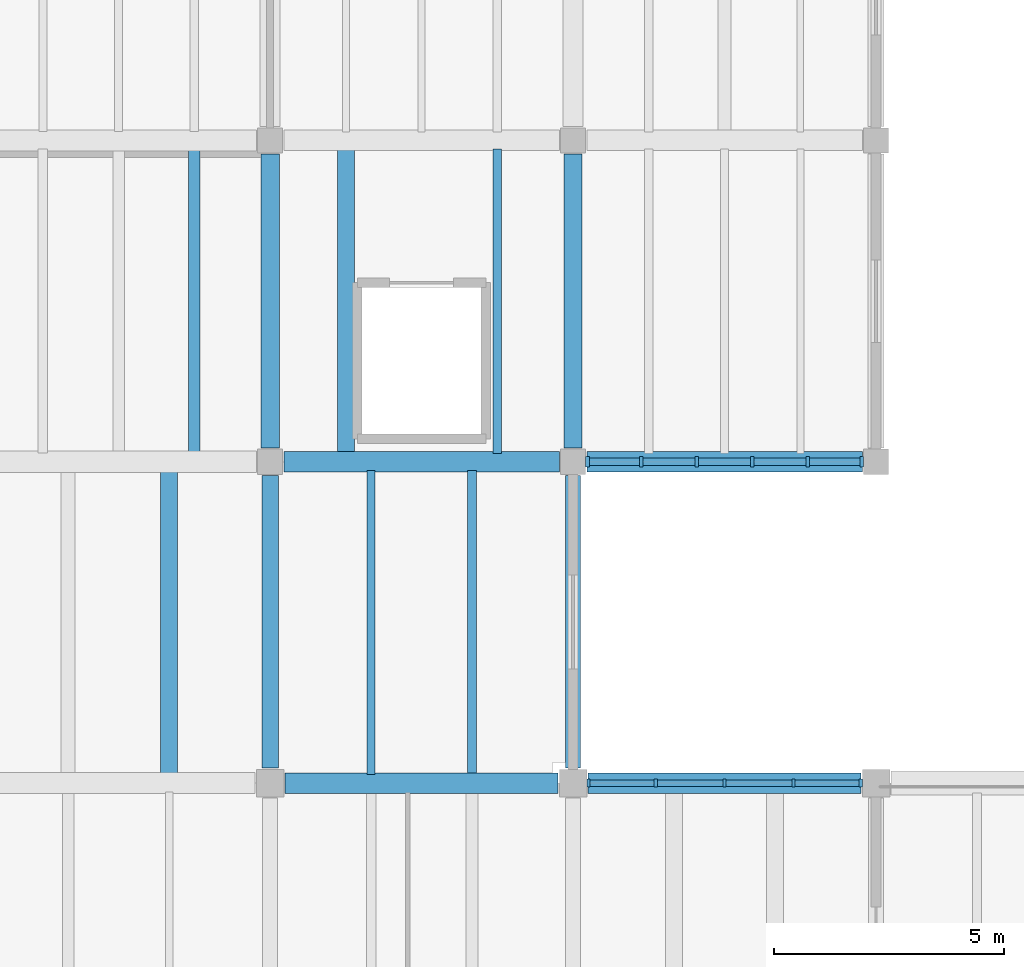
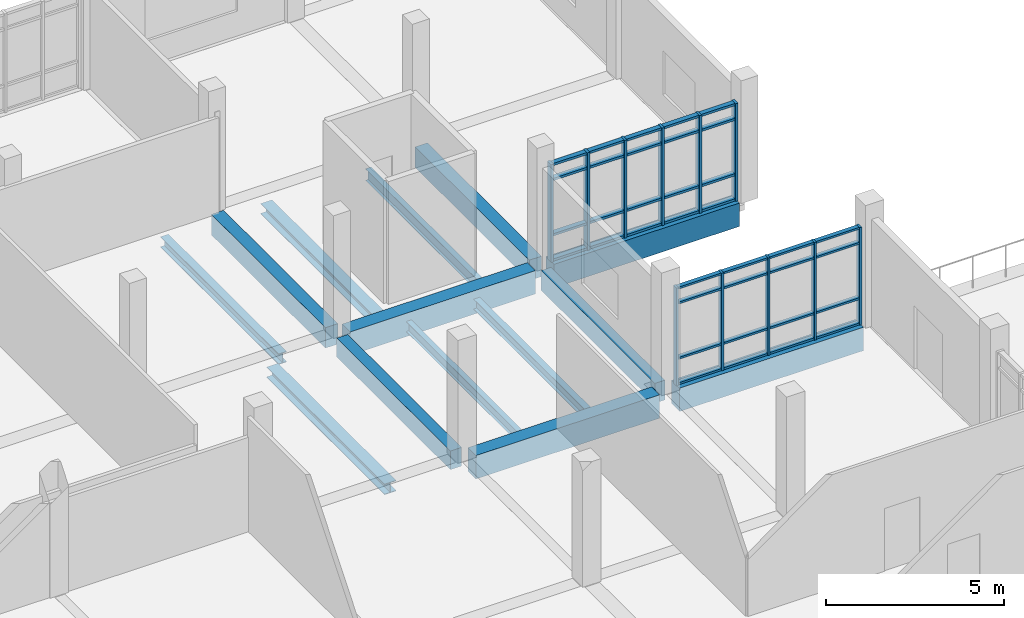
# One storey, part 22 of 67: 47 members, 14 beams, 2 elements without a shape of their own.
"""IFC4 building model written with IfcOpenShell, lengths in metres."""

from ifc_helpers import new_model, si_unit, direction, frame, origin, origin_2d, place, context, subcontext, project, spatial, rectangle, i_section, extrude, material, material_profile, profile_set, type_object, element, aggregate, save


model = new_model("IFC4")

# Units and contexts
model_context = context("Model", 3, precision=1e-05, world=origin(), true_north=direction((0.0, 1.0)))
body_context = subcontext(model_context, "Body", "Model", "MODEL_VIEW")
ifc_project = project(units=[si_unit("LENGTHUNIT", "METRE"), si_unit("AREAUNIT", "SQUARE_METRE"), si_unit("VOLUMEUNIT", "CUBIC_METRE"), si_unit("PLANEANGLEUNIT", "RADIAN"), si_unit("MASSUNIT", "GRAM", prefix="KILO")], contexts=[model_context])

# Site, building, storey
site_placement = place(None, origin())
site = spatial("IfcSite", under=ifc_project, at=site_placement, CompositionType="ELEMENT")
building_placement = place(site_placement, origin())
building = spatial("IfcBuilding", under=site, at=building_placement, Name="Ciguamira Faculty of Natural Sciences", CompositionType="ELEMENT")
storey_placement = place(building_placement, frame((0.0, 0.0, 8.39990234375)))
storey = spatial("IfcBuildingStorey", under=building, at=storey_placement, Name="L02", CompositionType="ELEMENT", Elevation=8.39990234375)

# Curtain wall, members
ifc_material_1 = material(Name="Anodized aluminium curtain wall", Category="aluminium")
curtain_wall_type_1 = type_object("IfcCurtainWallType", Name="CurtainWall_CW-02", PredefinedType="USERDEFINED", material=ifc_material_1)
curtain_wall_1_placement = place(storey_placement, origin())
curtain_wall_1 = element("IfcCurtainWall", 1, at=curtain_wall_1_placement, inside=storey, type_object=curtain_wall_type_1, Name="L02 unitised curtain wall 0062", ObjectType="UNITISED CURTAIN WALL", PredefinedType="USERDEFINED")
ifc_material_2 = material(Name="Anodized aluminium mullion", Category="aluminium")
ifc_material_profile_1 = material_profile(ifc_material_2, rectangle(XDim=0.070068359375, YDim=0.179931640625, at=origin_2d()), Name="ALU-MUL-70X180")
ifc_profile_set_1 = profile_set([ifc_material_profile_1], Name="Anodized aluminium mullion")
member_type_1 = type_object("IfcMemberType", Name="CWMullion_CWM-02", PredefinedType="MULLION", material=ifc_profile_set_1)
member_1_placement = place(storey_placement, frame((110.43505859375, 38.0, 0.0), z_axis=(0.0, 0.0, 1.0), x_axis=(1.0, 0.0, 0.0)))
member_1 = element("IfcMember", 2, at=member_1_placement, type_object=member_type_1, Name="CW-02 mullion 1", PredefinedType="MULLION", context=body_context, shape_type="SweptSolid", body=[
    extrude(rectangle(XDim=0.070068359375, YDim=0.179931640625, at=origin_2d()), origin(), (0.0, 0.0, 1.0), 3.34521484375),
])
member_2_placement = place(storey_placement, frame((111.89990234375, 38.0, 0.0), z_axis=(0.0, 0.0, 1.0), x_axis=(1.0, 0.0, 0.0)))
member_2 = element("IfcMember", 3, at=member_2_placement, type_object=member_type_1, Name="CW-02 mullion 2", PredefinedType="MULLION", context=body_context, shape_type="SweptSolid", body=[
    extrude(rectangle(XDim=0.070068359375, YDim=0.179931640625, at=origin_2d()), origin(), (0.0, 0.0, 1.0), 3.34521484375),
])
member_3_placement = place(storey_placement, frame((113.39990234375, 38.0, 0.0), z_axis=(0.0, 0.0, 1.0), x_axis=(1.0, 0.0, 0.0)))
member_3 = element("IfcMember", 4, at=member_3_placement, type_object=member_type_1, Name="CW-02 mullion 3", PredefinedType="MULLION", context=body_context, shape_type="SweptSolid", body=[
    extrude(rectangle(XDim=0.070068359375, YDim=0.179931640625, at=origin_2d()), origin(), (0.0, 0.0, 1.0), 3.34521484375),
])
member_4_placement = place(storey_placement, frame((114.89990234375, 38.0, 0.0), z_axis=(0.0, 0.0, 1.0), x_axis=(1.0, 0.0, 0.0)))
member_4 = element("IfcMember", 5, at=member_4_placement, type_object=member_type_1, Name="CW-02 mullion 4", PredefinedType="MULLION", context=body_context, shape_type="SweptSolid", body=[
    extrude(rectangle(XDim=0.070068359375, YDim=0.179931640625, at=origin_2d()), origin(), (0.0, 0.0, 1.0), 3.34521484375),
])
member_5_placement = place(storey_placement, frame((116.364990234375, 38.0, 0.0), z_axis=(0.0, 0.0, 1.0), x_axis=(1.0, 0.0, 0.0)))
member_5 = element("IfcMember", 6, at=member_5_placement, type_object=member_type_1, Name="CW-02 mullion 5", PredefinedType="MULLION", context=body_context, shape_type="SweptSolid", body=[
    extrude(rectangle(XDim=0.070068359375, YDim=0.179931640625, at=origin_2d()), origin(), (0.0, 0.0, 1.0), 3.34521484375),
])

curtain_wall_type_2 = type_object("IfcCurtainWallType", Name="CurtainWall_CW-03", PredefinedType="USERDEFINED", material=ifc_material_1)
curtain_wall_2_placement = place(storey_placement, origin())
curtain_wall_2 = element("IfcCurtainWall", 7, at=curtain_wall_2_placement, inside=storey, type_object=curtain_wall_type_2, Name="L02 unitised curtain wall 0063", ObjectType="UNITISED CURTAIN WALL", PredefinedType="USERDEFINED")
ifc_material_profile_2 = material_profile(ifc_material_2, rectangle(XDim=0.080078125, YDim=0.219970703125, at=origin_2d()), Name="ALU-MUL-80X220")
ifc_profile_set_2 = profile_set([ifc_material_profile_2], Name="Anodized aluminium mullion")
member_type_2 = type_object("IfcMemberType", Name="CWMullion_CWM-03", PredefinedType="MULLION", material=ifc_profile_set_2)
member_6_placement = place(storey_placement, frame((110.4150390625, 45.0, 0.0), z_axis=(0.0, 0.0, 1.0), x_axis=(1.0, 0.0, 0.0)))
member_6 = element("IfcMember", 8, at=member_6_placement, type_object=member_type_2, Name="CW-03 mullion 1", PredefinedType="MULLION", context=body_context, shape_type="SweptSolid", body=[
    extrude(rectangle(XDim=0.080078125, YDim=0.219970703125, at=origin_2d()), origin(), (0.0, 0.0, 1.0), 3.34521484375),
])
member_7_placement = place(storey_placement, frame((111.5849609375, 45.0, 0.0), z_axis=(0.0, 0.0, 1.0), x_axis=(1.0, 0.0, 0.0)))
member_7 = element("IfcMember", 9, at=member_7_placement, type_object=member_type_2, Name="CW-03 mullion 2", PredefinedType="MULLION", context=body_context, shape_type="SweptSolid", body=[
    extrude(rectangle(XDim=0.080078125, YDim=0.219970703125, at=origin_2d()), origin(), (0.0, 0.0, 1.0), 3.34521484375),
])
member_8_placement = place(storey_placement, frame((112.794921875, 45.0, 0.0), z_axis=(0.0, 0.0, 1.0), x_axis=(1.0, 0.0, 0.0)))
member_8 = element("IfcMember", 10, at=member_8_placement, type_object=member_type_2, Name="CW-03 mullion 3", PredefinedType="MULLION", context=body_context, shape_type="SweptSolid", body=[
    extrude(rectangle(XDim=0.080078125, YDim=0.219970703125, at=origin_2d()), origin(), (0.0, 0.0, 1.0), 3.34521484375),
])
member_9_placement = place(storey_placement, frame((114.0048828125, 45.0, 0.0), z_axis=(0.0, 0.0, 1.0), x_axis=(1.0, 0.0, 0.0)))
member_9 = element("IfcMember", 11, at=member_9_placement, type_object=member_type_2, Name="CW-03 mullion 4", PredefinedType="MULLION", context=body_context, shape_type="SweptSolid", body=[
    extrude(rectangle(XDim=0.080078125, YDim=0.219970703125, at=origin_2d()), origin(), (0.0, 0.0, 1.0), 3.34521484375),
])
member_10_placement = place(storey_placement, frame((115.215087890625, 45.0, 0.0), z_axis=(0.0, 0.0, 1.0), x_axis=(1.0, 0.0, 0.0)))
member_10 = element("IfcMember", 12, at=member_10_placement, type_object=member_type_2, Name="CW-03 mullion 5", PredefinedType="MULLION", context=body_context, shape_type="SweptSolid", body=[
    extrude(rectangle(XDim=0.080078125, YDim=0.219970703125, at=origin_2d()), origin(), (0.0, 0.0, 1.0), 3.34521484375),
])
member_11_placement = place(storey_placement, frame((116.385009765625, 45.0, 0.0), z_axis=(0.0, 0.0, 1.0), x_axis=(1.0, 0.0, 0.0)))
member_11 = element("IfcMember", 13, at=member_11_placement, type_object=member_type_2, Name="CW-03 mullion 6", PredefinedType="MULLION", context=body_context, shape_type="SweptSolid", body=[
    extrude(rectangle(XDim=0.080078125, YDim=0.219970703125, at=origin_2d()), origin(), (0.0, 0.0, 1.0), 3.34521484375),
])

# Member
ifc_material_3 = material(Name="Anodized aluminium transom", Category="aluminium")
ifc_material_profile_3 = material_profile(ifc_material_3, rectangle(XDim=0.070068359375, YDim=0.139892578125, at=origin_2d()), Name="ALU-TRN-70X140")
ifc_profile_set_3 = profile_set([ifc_material_profile_3], Name="Anodized aluminium transom")
member_type_3 = type_object("IfcMemberType", Name="CWTransom_CWT-02", PredefinedType="USERDEFINED", material=ifc_profile_set_3)
member_12_placement = place(storey_placement, frame((110.469970703125, 38.0, 0.03515625), z_axis=(1.0, 0.0, 0.0), x_axis=(0.0, 0.0, 1.0)))
member_12 = element("IfcMember", 14, at=member_12_placement, type_object=member_type_3, Name="CW-02 transom 1.1", ObjectType="TRANSOM", PredefinedType="USERDEFINED", context=body_context, shape_type="SweptSolid", body=[
    extrude(rectangle(XDim=0.070068359375, YDim=0.139892578125, at=origin_2d()), origin(), (0.0, 0.0, 1.0), 1.39501953125),
])

member_13_placement = place(storey_placement, frame((110.469970703125, 38.0, 0.900146484375), z_axis=(1.0, 0.0, 0.0), x_axis=(0.0, 0.0, 1.0)))
member_13 = element("IfcMember", 15, at=member_13_placement, type_object=member_type_3, Name="CW-02 transom 1.2", ObjectType="TRANSOM", PredefinedType="USERDEFINED", context=body_context, shape_type="SweptSolid", body=[
    extrude(rectangle(XDim=0.070068359375, YDim=0.139892578125, at=origin_2d()), origin(), (0.0, 0.0, 1.0), 1.39501953125),
])

member_14_placement = place(storey_placement, frame((110.469970703125, 38.0, 2.795166015625), z_axis=(1.0, 0.0, 0.0), x_axis=(0.0, 0.0, 1.0)))
member_14 = element("IfcMember", 16, at=member_14_placement, type_object=member_type_3, Name="CW-02 transom 1.3", ObjectType="TRANSOM", PredefinedType="USERDEFINED", context=body_context, shape_type="SweptSolid", body=[
    extrude(rectangle(XDim=0.070068359375, YDim=0.139892578125, at=origin_2d()), origin(), (0.0, 0.0, 1.0), 1.39501953125),
])

member_15_placement = place(storey_placement, frame((110.469970703125, 38.0, 3.31005859375), z_axis=(1.0, 0.0, 0.0), x_axis=(0.0, 0.0, 1.0)))
member_15 = element("IfcMember", 17, at=member_15_placement, type_object=member_type_3, Name="CW-02 transom 1.4", ObjectType="TRANSOM", PredefinedType="USERDEFINED", context=body_context, shape_type="SweptSolid", body=[
    extrude(rectangle(XDim=0.070068359375, YDim=0.139892578125, at=origin_2d()), origin(), (0.0, 0.0, 1.0), 1.39501953125),
])

member_16_placement = place(storey_placement, frame((111.93505859375, 38.0, 0.03515625), z_axis=(1.0, 0.0, 0.0), x_axis=(0.0, 0.0, 1.0)))
member_16 = element("IfcMember", 18, at=member_16_placement, type_object=member_type_3, Name="CW-02 transom 2.1", ObjectType="TRANSOM", PredefinedType="USERDEFINED", context=body_context, shape_type="SweptSolid", body=[
    extrude(rectangle(XDim=0.070068359375, YDim=0.139892578125, at=origin_2d()), origin(), (0.0, 0.0, 1.0), 1.429931640625),
])

member_17_placement = place(storey_placement, frame((111.93505859375, 38.0, 0.900146484375), z_axis=(1.0, 0.0, 0.0), x_axis=(0.0, 0.0, 1.0)))
member_17 = element("IfcMember", 19, at=member_17_placement, type_object=member_type_3, Name="CW-02 transom 2.2", ObjectType="TRANSOM", PredefinedType="USERDEFINED", context=body_context, shape_type="SweptSolid", body=[
    extrude(rectangle(XDim=0.070068359375, YDim=0.139892578125, at=origin_2d()), origin(), (0.0, 0.0, 1.0), 1.429931640625),
])

member_18_placement = place(storey_placement, frame((111.93505859375, 38.0, 2.795166015625), z_axis=(1.0, 0.0, 0.0), x_axis=(0.0, 0.0, 1.0)))
member_18 = element("IfcMember", 20, at=member_18_placement, type_object=member_type_3, Name="CW-02 transom 2.3", ObjectType="TRANSOM", PredefinedType="USERDEFINED", context=body_context, shape_type="SweptSolid", body=[
    extrude(rectangle(XDim=0.070068359375, YDim=0.139892578125, at=origin_2d()), origin(), (0.0, 0.0, 1.0), 1.429931640625),
])

member_19_placement = place(storey_placement, frame((111.93505859375, 38.0, 3.31005859375), z_axis=(1.0, 0.0, 0.0), x_axis=(0.0, 0.0, 1.0)))
member_19 = element("IfcMember", 21, at=member_19_placement, type_object=member_type_3, Name="CW-02 transom 2.4", ObjectType="TRANSOM", PredefinedType="USERDEFINED", context=body_context, shape_type="SweptSolid", body=[
    extrude(rectangle(XDim=0.070068359375, YDim=0.139892578125, at=origin_2d()), origin(), (0.0, 0.0, 1.0), 1.429931640625),
])

member_20_placement = place(storey_placement, frame((113.43505859375, 38.0, 0.03515625), z_axis=(1.0, 0.0, 0.0), x_axis=(0.0, 0.0, 1.0)))
member_20 = element("IfcMember", 22, at=member_20_placement, type_object=member_type_3, Name="CW-02 transom 3.1", ObjectType="TRANSOM", PredefinedType="USERDEFINED", context=body_context, shape_type="SweptSolid", body=[
    extrude(rectangle(XDim=0.070068359375, YDim=0.139892578125, at=origin_2d()), origin(), (0.0, 0.0, 1.0), 1.429931640625),
])

member_21_placement = place(storey_placement, frame((113.43505859375, 38.0, 0.900146484375), z_axis=(1.0, 0.0, 0.0), x_axis=(0.0, 0.0, 1.0)))
member_21 = element("IfcMember", 23, at=member_21_placement, type_object=member_type_3, Name="CW-02 transom 3.2", ObjectType="TRANSOM", PredefinedType="USERDEFINED", context=body_context, shape_type="SweptSolid", body=[
    extrude(rectangle(XDim=0.070068359375, YDim=0.139892578125, at=origin_2d()), origin(), (0.0, 0.0, 1.0), 1.429931640625),
])

member_22_placement = place(storey_placement, frame((113.43505859375, 38.0, 2.795166015625), z_axis=(1.0, 0.0, 0.0), x_axis=(0.0, 0.0, 1.0)))
member_22 = element("IfcMember", 24, at=member_22_placement, type_object=member_type_3, Name="CW-02 transom 3.3", ObjectType="TRANSOM", PredefinedType="USERDEFINED", context=body_context, shape_type="SweptSolid", body=[
    extrude(rectangle(XDim=0.070068359375, YDim=0.139892578125, at=origin_2d()), origin(), (0.0, 0.0, 1.0), 1.429931640625),
])

member_23_placement = place(storey_placement, frame((113.43505859375, 38.0, 3.31005859375), z_axis=(1.0, 0.0, 0.0), x_axis=(0.0, 0.0, 1.0)))
member_23 = element("IfcMember", 25, at=member_23_placement, type_object=member_type_3, Name="CW-02 transom 3.4", ObjectType="TRANSOM", PredefinedType="USERDEFINED", context=body_context, shape_type="SweptSolid", body=[
    extrude(rectangle(XDim=0.070068359375, YDim=0.139892578125, at=origin_2d()), origin(), (0.0, 0.0, 1.0), 1.429931640625),
])

member_24_placement = place(storey_placement, frame((114.93505859375, 38.0, 0.03515625), z_axis=(1.0, 0.0, 0.0), x_axis=(0.0, 0.0, 1.0)))
member_24 = element("IfcMember", 26, at=member_24_placement, type_object=member_type_3, Name="CW-02 transom 4.1", ObjectType="TRANSOM", PredefinedType="USERDEFINED", context=body_context, shape_type="SweptSolid", body=[
    extrude(rectangle(XDim=0.070068359375, YDim=0.139892578125, at=origin_2d()), origin(), (0.0, 0.0, 1.0), 1.39501953125),
])

member_25_placement = place(storey_placement, frame((114.93505859375, 38.0, 0.900146484375), z_axis=(1.0, 0.0, 0.0), x_axis=(0.0, 0.0, 1.0)))
member_25 = element("IfcMember", 27, at=member_25_placement, type_object=member_type_3, Name="CW-02 transom 4.2", ObjectType="TRANSOM", PredefinedType="USERDEFINED", context=body_context, shape_type="SweptSolid", body=[
    extrude(rectangle(XDim=0.070068359375, YDim=0.139892578125, at=origin_2d()), origin(), (0.0, 0.0, 1.0), 1.39501953125),
])

member_26_placement = place(storey_placement, frame((114.93505859375, 38.0, 2.795166015625), z_axis=(1.0, 0.0, 0.0), x_axis=(0.0, 0.0, 1.0)))
member_26 = element("IfcMember", 28, at=member_26_placement, type_object=member_type_3, Name="CW-02 transom 4.3", ObjectType="TRANSOM", PredefinedType="USERDEFINED", context=body_context, shape_type="SweptSolid", body=[
    extrude(rectangle(XDim=0.070068359375, YDim=0.139892578125, at=origin_2d()), origin(), (0.0, 0.0, 1.0), 1.39501953125),
])

member_27_placement = place(storey_placement, frame((114.93505859375, 38.0, 3.31005859375), z_axis=(1.0, 0.0, 0.0), x_axis=(0.0, 0.0, 1.0)))
member_27 = element("IfcMember", 29, at=member_27_placement, type_object=member_type_3, Name="CW-02 transom 4.4", ObjectType="TRANSOM", PredefinedType="USERDEFINED", context=body_context, shape_type="SweptSolid", body=[
    extrude(rectangle(XDim=0.070068359375, YDim=0.139892578125, at=origin_2d()), origin(), (0.0, 0.0, 1.0), 1.39501953125),
])

aggregate(curtain_wall_1, [member_1, member_2, member_3, member_4, member_5, member_12, member_13, member_14, member_15, member_16, member_17, member_18, member_19, member_20, member_21, member_22, member_23, member_24, member_25, member_26, member_27])

ifc_material_profile_4 = material_profile(ifc_material_3, rectangle(XDim=0.080078125, YDim=0.159912109375, at=origin_2d()), Name="ALU-TRN-80X160")
ifc_profile_set_4 = profile_set([ifc_material_profile_4], Name="Anodized aluminium transom")
member_type_4 = type_object("IfcMemberType", Name="CWTransom_CWT-03", PredefinedType="USERDEFINED", material=ifc_profile_set_4)
member_28_placement = place(storey_placement, frame((110.455078125, 45.0, 0.0400390625), z_axis=(1.0, 0.0, 0.0), x_axis=(0.0, 0.0, 1.0)))
member_28 = element("IfcMember", 30, at=member_28_placement, type_object=member_type_4, Name="CW-03 transom 1.1", ObjectType="TRANSOM", PredefinedType="USERDEFINED", context=body_context, shape_type="SweptSolid", body=[
    extrude(rectangle(XDim=0.080078125, YDim=0.159912109375, at=origin_2d()), origin(), (0.0, 0.0, 1.0), 1.08984375),
])

member_29_placement = place(storey_placement, frame((110.455078125, 45.0, 0.900146484375), z_axis=(1.0, 0.0, 0.0), x_axis=(0.0, 0.0, 1.0)))
member_29 = element("IfcMember", 31, at=member_29_placement, type_object=member_type_4, Name="CW-03 transom 1.2", ObjectType="TRANSOM", PredefinedType="USERDEFINED", context=body_context, shape_type="SweptSolid", body=[
    extrude(rectangle(XDim=0.080078125, YDim=0.159912109375, at=origin_2d()), origin(), (0.0, 0.0, 1.0), 1.08984375),
])

member_30_placement = place(storey_placement, frame((110.455078125, 45.0, 2.795166015625), z_axis=(1.0, 0.0, 0.0), x_axis=(0.0, 0.0, 1.0)))
member_30 = element("IfcMember", 32, at=member_30_placement, type_object=member_type_4, Name="CW-03 transom 1.3", ObjectType="TRANSOM", PredefinedType="USERDEFINED", context=body_context, shape_type="SweptSolid", body=[
    extrude(rectangle(XDim=0.080078125, YDim=0.159912109375, at=origin_2d()), origin(), (0.0, 0.0, 1.0), 1.08984375),
])

member_31_placement = place(storey_placement, frame((110.455078125, 45.0, 3.30517578125), z_axis=(1.0, 0.0, 0.0), x_axis=(0.0, 0.0, 1.0)))
member_31 = element("IfcMember", 33, at=member_31_placement, type_object=member_type_4, Name="CW-03 transom 1.4", ObjectType="TRANSOM", PredefinedType="USERDEFINED", context=body_context, shape_type="SweptSolid", body=[
    extrude(rectangle(XDim=0.080078125, YDim=0.159912109375, at=origin_2d()), origin(), (0.0, 0.0, 1.0), 1.08984375),
])

member_32_placement = place(storey_placement, frame((111.625, 45.0, 0.0400390625), z_axis=(1.0, 0.0, 0.0), x_axis=(0.0, 0.0, 1.0)))
member_32 = element("IfcMember", 34, at=member_32_placement, type_object=member_type_4, Name="CW-03 transom 2.1", ObjectType="TRANSOM", PredefinedType="USERDEFINED", context=body_context, shape_type="SweptSolid", body=[
    extrude(rectangle(XDim=0.080078125, YDim=0.159912109375, at=origin_2d()), origin(), (0.0, 0.0, 1.0), 1.1298828125),
])

member_33_placement = place(storey_placement, frame((111.625, 45.0, 0.900146484375), z_axis=(1.0, 0.0, 0.0), x_axis=(0.0, 0.0, 1.0)))
member_33 = element("IfcMember", 35, at=member_33_placement, type_object=member_type_4, Name="CW-03 transom 2.2", ObjectType="TRANSOM", PredefinedType="USERDEFINED", context=body_context, shape_type="SweptSolid", body=[
    extrude(rectangle(XDim=0.080078125, YDim=0.159912109375, at=origin_2d()), origin(), (0.0, 0.0, 1.0), 1.1298828125),
])

member_34_placement = place(storey_placement, frame((111.625, 45.0, 2.795166015625), z_axis=(1.0, 0.0, 0.0), x_axis=(0.0, 0.0, 1.0)))
member_34 = element("IfcMember", 36, at=member_34_placement, type_object=member_type_4, Name="CW-03 transom 2.3", ObjectType="TRANSOM", PredefinedType="USERDEFINED", context=body_context, shape_type="SweptSolid", body=[
    extrude(rectangle(XDim=0.080078125, YDim=0.159912109375, at=origin_2d()), origin(), (0.0, 0.0, 1.0), 1.1298828125),
])

member_35_placement = place(storey_placement, frame((111.625, 45.0, 3.30517578125), z_axis=(1.0, 0.0, 0.0), x_axis=(0.0, 0.0, 1.0)))
member_35 = element("IfcMember", 37, at=member_35_placement, type_object=member_type_4, Name="CW-03 transom 2.4", ObjectType="TRANSOM", PredefinedType="USERDEFINED", context=body_context, shape_type="SweptSolid", body=[
    extrude(rectangle(XDim=0.080078125, YDim=0.159912109375, at=origin_2d()), origin(), (0.0, 0.0, 1.0), 1.1298828125),
])

member_36_placement = place(storey_placement, frame((112.8349609375, 45.0, 0.0400390625), z_axis=(1.0, 0.0, 0.0), x_axis=(0.0, 0.0, 1.0)))
member_36 = element("IfcMember", 38, at=member_36_placement, type_object=member_type_4, Name="CW-03 transom 3.1", ObjectType="TRANSOM", PredefinedType="USERDEFINED", context=body_context, shape_type="SweptSolid", body=[
    extrude(rectangle(XDim=0.080078125, YDim=0.159912109375, at=origin_2d()), origin(), (0.0, 0.0, 1.0), 1.130126953125),
])

member_37_placement = place(storey_placement, frame((112.8349609375, 45.0, 0.900146484375), z_axis=(1.0, 0.0, 0.0), x_axis=(0.0, 0.0, 1.0)))
member_37 = element("IfcMember", 39, at=member_37_placement, type_object=member_type_4, Name="CW-03 transom 3.2", ObjectType="TRANSOM", PredefinedType="USERDEFINED", context=body_context, shape_type="SweptSolid", body=[
    extrude(rectangle(XDim=0.080078125, YDim=0.159912109375, at=origin_2d()), origin(), (0.0, 0.0, 1.0), 1.130126953125),
])

member_38_placement = place(storey_placement, frame((112.8349609375, 45.0, 2.795166015625), z_axis=(1.0, 0.0, 0.0), x_axis=(0.0, 0.0, 1.0)))
member_38 = element("IfcMember", 40, at=member_38_placement, type_object=member_type_4, Name="CW-03 transom 3.3", ObjectType="TRANSOM", PredefinedType="USERDEFINED", context=body_context, shape_type="SweptSolid", body=[
    extrude(rectangle(XDim=0.080078125, YDim=0.159912109375, at=origin_2d()), origin(), (0.0, 0.0, 1.0), 1.130126953125),
])

member_39_placement = place(storey_placement, frame((112.8349609375, 45.0, 3.30517578125), z_axis=(1.0, 0.0, 0.0), x_axis=(0.0, 0.0, 1.0)))
member_39 = element("IfcMember", 41, at=member_39_placement, type_object=member_type_4, Name="CW-03 transom 3.4", ObjectType="TRANSOM", PredefinedType="USERDEFINED", context=body_context, shape_type="SweptSolid", body=[
    extrude(rectangle(XDim=0.080078125, YDim=0.159912109375, at=origin_2d()), origin(), (0.0, 0.0, 1.0), 1.130126953125),
])

member_40_placement = place(storey_placement, frame((114.044921875, 45.0, 0.0400390625), z_axis=(1.0, 0.0, 0.0), x_axis=(0.0, 0.0, 1.0)))
member_40 = element("IfcMember", 42, at=member_40_placement, type_object=member_type_4, Name="CW-03 transom 4.1", ObjectType="TRANSOM", PredefinedType="USERDEFINED", context=body_context, shape_type="SweptSolid", body=[
    extrude(rectangle(XDim=0.080078125, YDim=0.159912109375, at=origin_2d()), origin(), (0.0, 0.0, 1.0), 1.130126953125),
])

member_41_placement = place(storey_placement, frame((114.044921875, 45.0, 0.900146484375), z_axis=(1.0, 0.0, 0.0), x_axis=(0.0, 0.0, 1.0)))
member_41 = element("IfcMember", 43, at=member_41_placement, type_object=member_type_4, Name="CW-03 transom 4.2", ObjectType="TRANSOM", PredefinedType="USERDEFINED", context=body_context, shape_type="SweptSolid", body=[
    extrude(rectangle(XDim=0.080078125, YDim=0.159912109375, at=origin_2d()), origin(), (0.0, 0.0, 1.0), 1.130126953125),
])

member_42_placement = place(storey_placement, frame((114.044921875, 45.0, 2.795166015625), z_axis=(1.0, 0.0, 0.0), x_axis=(0.0, 0.0, 1.0)))
member_42 = element("IfcMember", 44, at=member_42_placement, type_object=member_type_4, Name="CW-03 transom 4.3", ObjectType="TRANSOM", PredefinedType="USERDEFINED", context=body_context, shape_type="SweptSolid", body=[
    extrude(rectangle(XDim=0.080078125, YDim=0.159912109375, at=origin_2d()), origin(), (0.0, 0.0, 1.0), 1.130126953125),
])

member_43_placement = place(storey_placement, frame((114.044921875, 45.0, 3.30517578125), z_axis=(1.0, 0.0, 0.0), x_axis=(0.0, 0.0, 1.0)))
member_43 = element("IfcMember", 45, at=member_43_placement, type_object=member_type_4, Name="CW-03 transom 4.4", ObjectType="TRANSOM", PredefinedType="USERDEFINED", context=body_context, shape_type="SweptSolid", body=[
    extrude(rectangle(XDim=0.080078125, YDim=0.159912109375, at=origin_2d()), origin(), (0.0, 0.0, 1.0), 1.130126953125),
])

member_44_placement = place(storey_placement, frame((115.2548828125, 45.0, 0.0400390625), z_axis=(1.0, 0.0, 0.0), x_axis=(0.0, 0.0, 1.0)))
member_44 = element("IfcMember", 46, at=member_44_placement, type_object=member_type_4, Name="CW-03 transom 5.1", ObjectType="TRANSOM", PredefinedType="USERDEFINED", context=body_context, shape_type="SweptSolid", body=[
    extrude(rectangle(XDim=0.080078125, YDim=0.159912109375, at=origin_2d()), origin(), (0.0, 0.0, 1.0), 1.090087890625),
])

member_45_placement = place(storey_placement, frame((115.2548828125, 45.0, 0.900146484375), z_axis=(1.0, 0.0, 0.0), x_axis=(0.0, 0.0, 1.0)))
member_45 = element("IfcMember", 47, at=member_45_placement, type_object=member_type_4, Name="CW-03 transom 5.2", ObjectType="TRANSOM", PredefinedType="USERDEFINED", context=body_context, shape_type="SweptSolid", body=[
    extrude(rectangle(XDim=0.080078125, YDim=0.159912109375, at=origin_2d()), origin(), (0.0, 0.0, 1.0), 1.090087890625),
])

member_46_placement = place(storey_placement, frame((115.2548828125, 45.0, 2.795166015625), z_axis=(1.0, 0.0, 0.0), x_axis=(0.0, 0.0, 1.0)))
member_46 = element("IfcMember", 48, at=member_46_placement, type_object=member_type_4, Name="CW-03 transom 5.3", ObjectType="TRANSOM", PredefinedType="USERDEFINED", context=body_context, shape_type="SweptSolid", body=[
    extrude(rectangle(XDim=0.080078125, YDim=0.159912109375, at=origin_2d()), origin(), (0.0, 0.0, 1.0), 1.090087890625),
])

member_47_placement = place(storey_placement, frame((115.2548828125, 45.0, 3.30517578125), z_axis=(1.0, 0.0, 0.0), x_axis=(0.0, 0.0, 1.0)))
member_47 = element("IfcMember", 49, at=member_47_placement, type_object=member_type_4, Name="CW-03 transom 5.4", ObjectType="TRANSOM", PredefinedType="USERDEFINED", context=body_context, shape_type="SweptSolid", body=[
    extrude(rectangle(XDim=0.080078125, YDim=0.159912109375, at=origin_2d()), origin(), (0.0, 0.0, 1.0), 1.090087890625),
])

aggregate(curtain_wall_2, [member_6, member_7, member_8, member_9, member_10, member_11, member_28, member_29, member_30, member_31, member_32, member_33, member_34, member_35, member_36, member_37, member_38, member_39, member_40, member_41, member_42, member_43, member_44, member_45, member_46, member_47])

# Beams
ifc_material_4 = material(Name="Concrete C40/50", Category="concrete")
ifc_material_profile_5 = material_profile(ifc_material_4, rectangle(XDim=0.449951171875, YDim=0.800048828125, at=origin_2d()), Name="RC-BM-450X800")
ifc_profile_set_5 = profile_set([ifc_material_profile_5], Name="Concrete C40/50")
beam_type_1 = type_object("IfcBeamType", Name="RCBeam_BG-05_RC-BM-450X800", PredefinedType="BEAM", material=ifc_profile_set_5)
for number, where, z_axis, x_axis, name in (
    (50, (103.824951171875, 38.0, -0.39990234375), (1.0, 0.0, 0.0), (0.0, 1.0, 0.0), "L02 RC girder EW-0780"),
    (51, (110.425048828125, 38.0, -0.39990234375), (1.0, 0.0, 0.0), (0.0, 1.0, 0.0), "L02 RC girder EW-0781"),
):
    element("IfcBeam", number, at=place(storey_placement, frame(where, z_axis=z_axis, x_axis=x_axis)), inside=storey, type_object=beam_type_1, Name=name, PredefinedType="BEAM", context=body_context, shape_type="SweptSolid", body=[
        extrude(rectangle(XDim=0.449951171875, YDim=0.800048828125, at=origin_2d()), origin(), (0.0, 0.0, 1.0), 5.949951171875),
    ])
for number, where, z_axis, x_axis, name in (
    (52, (103.800048828125, 45.0, -0.39990234375), (1.0, 0.0, 0.0), (0.0, 1.0, 0.0), "L02 RC girder EW-0790"),
    (53, (110.39990234375, 45.0, -0.39990234375), (1.0, 0.0, 0.0), (0.0, 1.0, 0.0), "L02 RC girder EW-0791"),
):
    element("IfcBeam", number, at=place(storey_placement, frame(where, z_axis=z_axis, x_axis=x_axis)), inside=storey, type_object=beam_type_1, Name=name, PredefinedType="BEAM", context=body_context, shape_type="SweptSolid", body=[
        extrude(rectangle(XDim=0.449951171875, YDim=0.800048828125, at=origin_2d()), origin(), (0.0, 0.0, 1.0), 6.0),
    ])
ifc_material_profile_6 = material_profile(ifc_material_4, rectangle(XDim=0.39990234375, YDim=0.699951171875, at=origin_2d()), Name="RC-BM-400X700")
ifc_profile_set_6 = profile_set([ifc_material_profile_6], Name="Concrete C40/50")
beam_type_2 = type_object("IfcBeamType", Name="RCBeam_BG-08_RC-BM-400X700", PredefinedType="BEAM", material=ifc_profile_set_6)
for number, where, z_axis, x_axis, name in (
    (54, (103.5, 45.300048828125, -0.349853515625), (0.0, 1.0, 0.0), (-1.0, 0.0, 0.0), "L02 girder NS-0980"),
    (55, (110.10009765625, 45.300048828125, -0.349853515625), (0.0, 1.0, 0.0), (-1.0, 0.0, 0.0), "L02 girder NS-0990"),
):
    element("IfcBeam", number, at=place(storey_placement, frame(where, z_axis=z_axis, x_axis=x_axis)), inside=storey, type_object=beam_type_2, Name=name, PredefinedType="BEAM", context=body_context, shape_type="SweptSolid", body=[
        extrude(rectangle(XDim=0.39990234375, YDim=0.699951171875, at=origin_2d()), origin(), (0.0, 0.0, 1.0), 6.39990234375),
    ])
ifc_material_profile_7 = material_profile(ifc_material_4, rectangle(XDim=0.360107421875, YDim=0.639892578125, at=origin_2d()), Name="RC-BM-360X640")
ifc_profile_set_7 = profile_set([ifc_material_profile_7], Name="Concrete C40/50")
beam_type_3 = type_object("IfcBeamType", Name="RCBeam_BG-10_RC-BM-360X640", PredefinedType="BEAM", material=ifc_profile_set_7)
beam_1_placement = place(storey_placement, frame((103.5, 38.324951171875, -0.31982421875), z_axis=(0.0, 1.0, 0.0), x_axis=(-1.0, 0.0, 0.0)))
element("IfcBeam", 56, at=beam_1_placement, inside=storey, type_object=beam_type_3, Name="L02 girder NS-0979", PredefinedType="BEAM", context=body_context, shape_type="SweptSolid", body=[
    extrude(rectangle(XDim=0.360107421875, YDim=0.639892578125, at=origin_2d()), origin(), (0.0, 0.0, 1.0), 6.375),
])
ifc_material_5 = material(Name="Precast concrete C40/50", Category="concrete")
ifc_material_profile_8 = material_profile(ifc_material_5, rectangle(XDim=0.320068359375, YDim=0.679931640625, at=origin_2d()), Name="RC-SP-320X680")
ifc_profile_set_8 = profile_set([ifc_material_profile_8], Name="Precast concrete C40/50")
beam_type_4 = type_object("IfcBeamType", Name="RCBeam_SP-02_RC-SP-320X680", PredefinedType="SPANDREL", material=ifc_profile_set_8)
beam_2_placement = place(storey_placement, frame((110.10009765625, 38.324951171875, -0.33984375), z_axis=(0.0, 1.0, 0.0), x_axis=(-1.0, 0.0, 0.0)))
element("IfcBeam", 57, at=beam_2_placement, inside=storey, type_object=beam_type_4, Name="L02 girder NS-0989", PredefinedType="SPANDREL", context=body_context, shape_type="SweptSolid", body=[
    extrude(rectangle(XDim=0.320068359375, YDim=0.679931640625, at=origin_2d()), origin(), (0.0, 0.0, 1.0), 6.375),
])
ifc_material_6 = material(Name="Steel ASTM A992 Grade 50", Category="steel")
ifc_material_profile_9 = material_profile(ifc_material_6, i_section(OverallWidth=0.370849609375, OverallDepth=0.36328125, WebThickness=0.013427734375, FlangeThickness=0.021728515625, at=origin_2d()), Name="W14X109")
ifc_profile_set_9 = profile_set([ifc_material_profile_9], Name="Steel ASTM A992 Grade 50")
beam_type_5 = type_object("IfcBeamType", Name="SteelJoist_SJ-09_W14X109", PredefinedType="JOIST", material=ifc_profile_set_9)
beam_3_placement = place(storey_placement, frame((101.300048828125, 38.18994140625, -0.46142578125), z_axis=(0.0, 1.0, 0.0), x_axis=(-1.0, 0.0, 0.0)))
element("IfcBeam", 58, at=beam_3_placement, inside=storey, type_object=beam_type_5, Name="L02 composite steel joist 00872", PredefinedType="JOIST", context=body_context, shape_type="SweptSolid", body=[
    extrude(i_section(OverallWidth=0.370849609375, OverallDepth=0.36328125, WebThickness=0.013427734375, FlangeThickness=0.021728515625, at=origin_2d()), origin(), (0.0, 0.0, 1.0), 6.6201171875),
])
ifc_material_profile_10 = material_profile(ifc_material_6, i_section(OverallWidth=0.1708984375, OverallDepth=0.3505859375, WebThickness=0.0068359375, FlangeThickness=0.009765625, at=origin_2d()), Name="W14X30")
ifc_profile_set_10 = profile_set([ifc_material_profile_10], Name="Steel ASTM A992 Grade 50")
beam_type_6 = type_object("IfcBeamType", Name="SteelJoist_SJ-11_W14X30", PredefinedType="JOIST", material=ifc_profile_set_10)
beam_4_placement = place(storey_placement, frame((105.699951171875, 38.18505859375, -0.455322265625), z_axis=(0.0, 1.0, 0.0), x_axis=(-1.0, 0.0, 0.0)))
element("IfcBeam", 59, at=beam_4_placement, inside=storey, type_object=beam_type_6, Name="L02 composite steel joist 00900", PredefinedType="JOIST", context=body_context, shape_type="SweptSolid", body=[
    extrude(i_section(OverallWidth=0.1708984375, OverallDepth=0.3505859375, WebThickness=0.0068359375, FlangeThickness=0.009765625, at=origin_2d()), origin(), (0.0, 0.0, 1.0), 6.6298828125),
])
ifc_material_profile_11 = material_profile(ifc_material_6, i_section(OverallWidth=0.203125, OverallDepth=0.347900390625, WebThickness=0.0078125, FlangeThickness=0.013427734375, at=origin_2d()), Name="W14X43")
ifc_profile_set_11 = profile_set([ifc_material_profile_11], Name="Steel ASTM A992 Grade 50")
beam_type_7 = type_object("IfcBeamType", Name="SteelJoist_SJ-12_W14X43", PredefinedType="JOIST", material=ifc_profile_set_11)
beam_5_placement = place(storey_placement, frame((107.89990234375, 38.18505859375, -0.453857421875), z_axis=(0.0, 1.0, 0.0), x_axis=(-1.0, 0.0, 0.0)))
element("IfcBeam", 60, at=beam_5_placement, inside=storey, type_object=beam_type_7, Name="L02 composite steel joist 00901", PredefinedType="JOIST", context=body_context, shape_type="SweptSolid", body=[
    extrude(i_section(OverallWidth=0.203125, OverallDepth=0.347900390625, WebThickness=0.0078125, FlangeThickness=0.013427734375, at=origin_2d()), origin(), (0.0, 0.0, 1.0), 6.6298828125),
])
ifc_material_profile_12 = material_profile(ifc_material_6, i_section(OverallWidth=0.256591796875, OverallDepth=0.36328125, WebThickness=0.012939453125, FlangeThickness=0.021728515625, at=origin_2d()), Name="W14X82")
ifc_profile_set_12 = profile_set([ifc_material_profile_12], Name="Steel ASTM A992 Grade 50")
beam_type_8 = type_object("IfcBeamType", Name="SteelJoist_SJ-15_W14X82", PredefinedType="JOIST", material=ifc_profile_set_12)
beam_6_placement = place(storey_placement, frame((101.85009765625, 45.18994140625, -0.46142578125), z_axis=(0.0, 1.0, 0.0), x_axis=(-1.0, 0.0, 0.0)))
element("IfcBeam", 61, at=beam_6_placement, inside=storey, type_object=beam_type_8, Name="L02 composite steel joist 00875", PredefinedType="JOIST", context=body_context, shape_type="SweptSolid", body=[
    extrude(i_section(OverallWidth=0.256591796875, OverallDepth=0.36328125, WebThickness=0.012939453125, FlangeThickness=0.021728515625, at=origin_2d()), origin(), (0.0, 0.0, 1.0), 6.6201171875),
])
ifc_material_profile_13 = material_profile(ifc_material_6, i_section(OverallWidth=0.368408203125, OverallDepth=0.355712890625, WebThickness=0.01123046875, FlangeThickness=0.01806640625, at=origin_2d()), Name="W14X90")
ifc_profile_set_13 = profile_set([ifc_material_profile_13], Name="Steel ASTM A992 Grade 50")
beam_type_9 = type_object("IfcBeamType", Name="SteelJoist_SJ-16_W14X90", PredefinedType="JOIST", material=ifc_profile_set_13)
beam_7_placement = place(storey_placement, frame((105.14990234375, 45.18505859375, -0.457763671875), z_axis=(0.0, 1.0, 0.0), x_axis=(-1.0, 0.0, 0.0)))
element("IfcBeam", 62, at=beam_7_placement, inside=storey, type_object=beam_type_9, Name="L02 composite steel joist 00902", PredefinedType="JOIST", context=body_context, shape_type="SweptSolid", body=[
    extrude(i_section(OverallWidth=0.368408203125, OverallDepth=0.355712890625, WebThickness=0.01123046875, FlangeThickness=0.01806640625, at=origin_2d()), origin(), (0.0, 0.0, 1.0), 6.6298828125),
])
ifc_material_profile_14 = material_profile(ifc_material_6, i_section(OverallWidth=0.177490234375, OverallDepth=0.40380859375, WebThickness=0.007568359375, FlangeThickness=0.010986328125, at=origin_2d()), Name="W16X36")
ifc_profile_set_14 = profile_set([ifc_material_profile_14], Name="Steel ASTM A992 Grade 50")
beam_type_10 = type_object("IfcBeamType", Name="SteelJoist_SJ-18_W16X36", PredefinedType="JOIST", material=ifc_profile_set_14)
beam_8_placement = place(storey_placement, frame((108.449951171875, 45.18505859375, -0.481689453125), z_axis=(0.0, 1.0, 0.0), x_axis=(-1.0, 0.0, 0.0)))
element("IfcBeam", 63, at=beam_8_placement, inside=storey, type_object=beam_type_10, Name="L02 composite steel joist 00903", PredefinedType="JOIST", context=body_context, shape_type="SweptSolid", body=[
    extrude(i_section(OverallWidth=0.177490234375, OverallDepth=0.40380859375, WebThickness=0.007568359375, FlangeThickness=0.010986328125, at=origin_2d()), origin(), (0.0, 0.0, 1.0), 6.6298828125),
])

save(model, "model.ifc")
